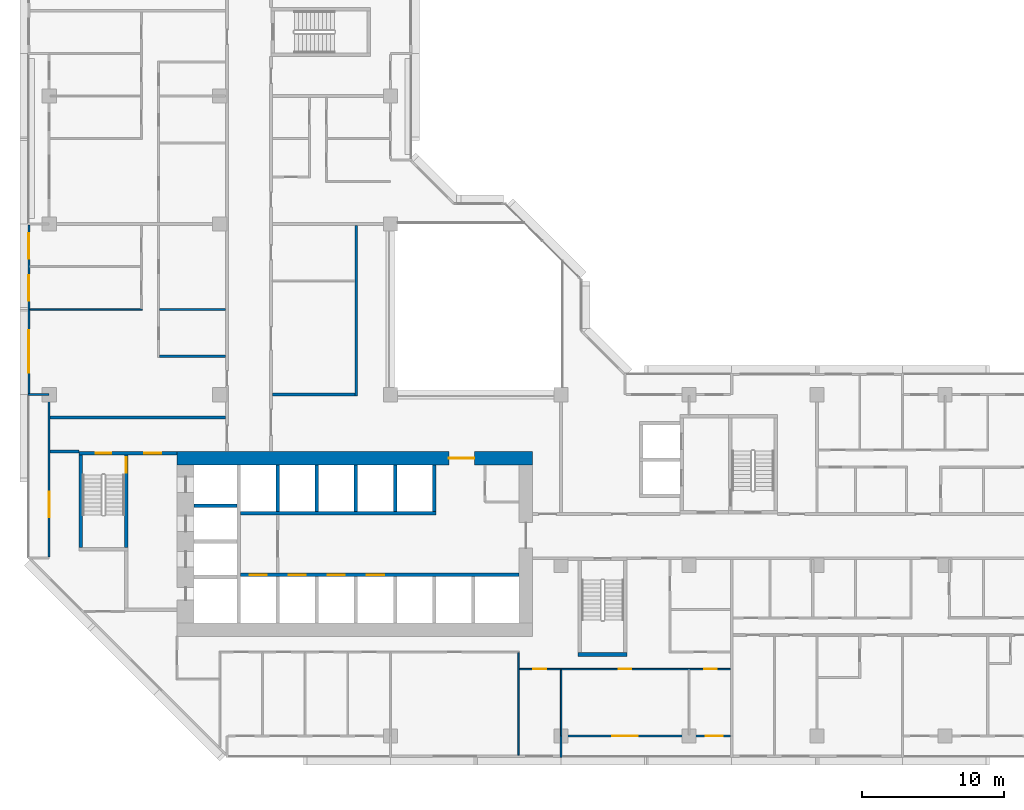
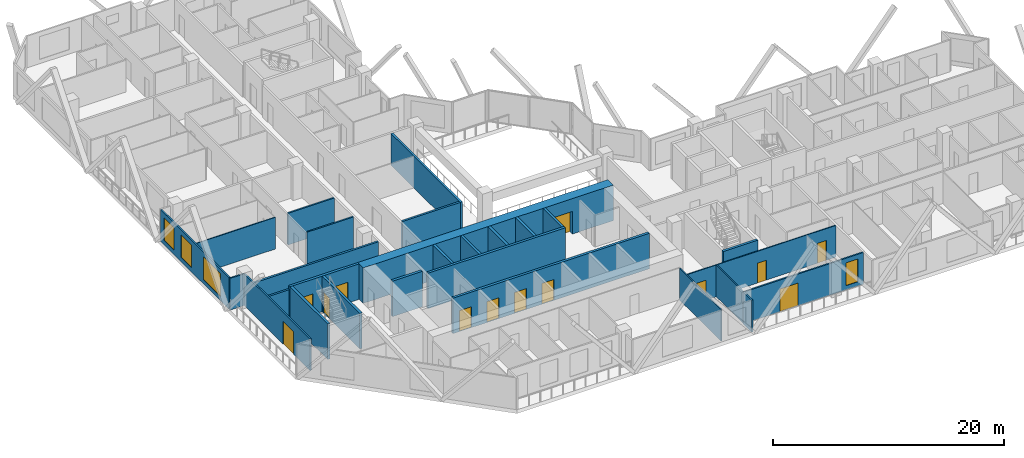
# One storey, part 5 of 15: 28 walls, 13 doors, 4 windows, 17 openings.
"""IFC4 building model written with IfcOpenShell, lengths in metres."""

from ifc_helpers import new_model, si_unit, direction, frame, frame_2d, origin, place, context, subcontext, project, spatial, rectangle, extrude, material, layer, layer_set, type_object, element, fill, save


model = new_model("IFC4")

# Units and contexts
model_context = context("Model", 3, precision=1e-05, world=origin(), true_north=direction((0.0, 1.0)))
body_context = subcontext(model_context, "Body", "Model", "MODEL_VIEW")
ifc_project = project(units=[si_unit("LENGTHUNIT", "METRE"), si_unit("AREAUNIT", "SQUARE_METRE"), si_unit("VOLUMEUNIT", "CUBIC_METRE"), si_unit("PLANEANGLEUNIT", "RADIAN"), si_unit("MASSUNIT", "GRAM", prefix="KILO")], contexts=[model_context])

# Site, building, storey
site_placement = place(None, origin())
site = spatial("IfcSite", under=ifc_project, at=site_placement, CompositionType="ELEMENT")
building_placement = place(site_placement, origin())
building = spatial("IfcBuilding", under=site, at=building_placement, Name="Chenar Terraces", CompositionType="ELEMENT")
storey_placement = place(building_placement, frame((0.0, 0.0, 114.39990234375)))
storey = spatial("IfcBuildingStorey", under=building, at=storey_placement, Name="L26", CompositionType="ELEMENT", Elevation=114.39990234375)

# Wall, openings, doors
ifc_material_1 = material(Name="Concrete C70/85", Category="concrete")
ifc_layer_1 = layer(ifc_material_1, 0.25)
ifc_layer_set_1 = layer_set([ifc_layer_1], Name="Concrete C70/85")
wall_type_1 = type_object("IfcWallType", Name="Core wall 250 Concrete C70/85", PredefinedType="SHEAR", material=ifc_layer_set_1)
wall_1_placement = place(storey_placement, frame((13.449951171875, 11.324951171875, 0.0), z_axis=(0.0, 0.0, 1.0), x_axis=(1.0, 0.0, 0.0)))
wall_1 = element("IfcWall", 1, at=wall_1_placement, inside=storey, type_object=wall_type_1, Name="Core wall SF L26", PredefinedType="SHEAR", context=body_context, shape_type="SweptSolid", body=[
    extrude(rectangle(XDim=19.60009765625, YDim=0.25, at=frame_2d((9.800048828125, 0.0))), origin(), (0.0, 0.0, 1.0), 3.75),
])
opening_1_placement = place(wall_1_placement, frame((0.64990234375, 0.0, 0.0)))
opening_1 = element("IfcOpeningElement", 2, at=opening_1_placement, cuts=wall_1, Name="Opening DL26-LD1", PredefinedType="OPENING", context=body_context, shape_type="SweptSolid", body=[
    extrude(rectangle(XDim=1.199951171875, YDim=2.199951171875, at=frame_2d((0.60009765625, 1.10009765625))), frame((0.0, 0.135009765625, 0.0), z_axis=(0.0, -1.0, 0.0), x_axis=(1.0, 0.0, 0.0)), (0.0, 0.0, 1.0), 0.27001953125),
])
opening_2_placement = place(wall_1_placement, frame((3.39990234375, 0.0, 0.0)))
opening_2 = element("IfcOpeningElement", 3, at=opening_2_placement, cuts=wall_1, Name="Opening DL26-LD2", PredefinedType="OPENING", context=body_context, shape_type="SweptSolid", body=[
    extrude(rectangle(XDim=1.199951171875, YDim=2.199951171875, at=frame_2d((0.60009765625, 1.10009765625))), frame((0.0, 0.135009765625, 0.0), z_axis=(0.0, -1.0, 0.0), x_axis=(1.0, 0.0, 0.0)), (0.0, 0.0, 1.0), 0.27001953125),
])
opening_3_placement = place(wall_1_placement, frame((6.14990234375, 0.0, 0.0)))
opening_3 = element("IfcOpeningElement", 4, at=opening_3_placement, cuts=wall_1, Name="Opening DL26-LD3", PredefinedType="OPENING", context=body_context, shape_type="SweptSolid", body=[
    extrude(rectangle(XDim=1.199951171875, YDim=2.199951171875, at=frame_2d((0.60009765625, 1.10009765625))), frame((0.0, 0.135009765625, 0.0), z_axis=(0.0, -1.0, 0.0), x_axis=(1.0, 0.0, 0.0)), (0.0, 0.0, 1.0), 0.27001953125),
])
opening_4_placement = place(wall_1_placement, frame((8.89990234375, 0.0, 0.0)))
opening_4 = element("IfcOpeningElement", 5, at=opening_4_placement, cuts=wall_1, Name="Opening DL26-LD4", PredefinedType="OPENING", context=body_context, shape_type="SweptSolid", body=[
    extrude(rectangle(XDim=1.199951171875, YDim=2.199951171875, at=frame_2d((0.60009765625, 1.10009765625))), frame((0.0, 0.135009765625, 0.0), z_axis=(0.0, -1.0, 0.0), x_axis=(1.0, 0.0, 0.0)), (0.0, 0.0, 1.0), 0.27001953125),
])
ifc_material_2 = material(Name="Stainless steel", Category="steel")
door_type_1 = type_object("IfcDoorType", Name="Lift landing door 1200 x 2200 sliding", OperationType="DOUBLE_DOOR_SLIDING", PredefinedType="DOOR", material=ifc_material_2)
door_1_placement = place(opening_1_placement, origin())
door_1 = element("IfcDoor", 6, at=door_1_placement, inside=storey, type_object=door_type_1, Name="Landing door L1", OperationType="DOUBLE_DOOR_SLIDING", OverallHeight=2.199951171875, OverallWidth=1.199951171875, PredefinedType="DOOR", context=body_context, shape_type="SweptSolid", body=[
    extrude(rectangle(XDim=1.199951171875, YDim=2.199951171875, at=frame_2d((0.60009765625, 1.10009765625))), frame((0.0, 0.02490234375, 0.0), z_axis=(0.0, -1.0, 0.0), x_axis=(1.0, 0.0, 0.0)), (0.0, 0.0, 1.0), 0.050048828125),
])
fill(opening_1, door_1)
door_2_placement = place(opening_2_placement, origin())
door_2 = element("IfcDoor", 7, at=door_2_placement, inside=storey, type_object=door_type_1, Name="Landing door L2", OperationType="DOUBLE_DOOR_SLIDING", OverallHeight=2.199951171875, OverallWidth=1.199951171875, PredefinedType="DOOR", context=body_context, shape_type="SweptSolid", body=[
    extrude(rectangle(XDim=1.199951171875, YDim=2.199951171875, at=frame_2d((0.60009765625, 1.10009765625))), frame((0.0, 0.02490234375, 0.0), z_axis=(0.0, -1.0, 0.0), x_axis=(1.0, 0.0, 0.0)), (0.0, 0.0, 1.0), 0.050048828125),
])
fill(opening_2, door_2)
door_3_placement = place(opening_3_placement, origin())
door_3 = element("IfcDoor", 8, at=door_3_placement, inside=storey, type_object=door_type_1, Name="Landing door L3", OperationType="DOUBLE_DOOR_SLIDING", OverallHeight=2.199951171875, OverallWidth=1.199951171875, PredefinedType="DOOR", context=body_context, shape_type="SweptSolid", body=[
    extrude(rectangle(XDim=1.199951171875, YDim=2.199951171875, at=frame_2d((0.60009765625, 1.10009765625))), frame((0.0, 0.02490234375, 0.0), z_axis=(0.0, -1.0, 0.0), x_axis=(1.0, 0.0, 0.0)), (0.0, 0.0, 1.0), 0.050048828125),
])
fill(opening_3, door_3)
door_4_placement = place(opening_4_placement, origin())
door_4 = element("IfcDoor", 9, at=door_4_placement, inside=storey, type_object=door_type_1, Name="Landing door L4", OperationType="DOUBLE_DOOR_SLIDING", OverallHeight=2.199951171875, OverallWidth=1.199951171875, PredefinedType="DOOR", context=body_context, shape_type="SweptSolid", body=[
    extrude(rectangle(XDim=1.199951171875, YDim=2.199951171875, at=frame_2d((0.60009765625, 1.10009765625))), frame((0.0, 0.02490234375, 0.0), z_axis=(0.0, -1.0, 0.0), x_axis=(1.0, 0.0, 0.0)), (0.0, 0.0, 1.0), 0.050048828125),
])
fill(opening_4, door_4)

# Walls
wall_2_placement = place(storey_placement, frame((13.449951171875, 15.675048828125, 0.0), z_axis=(0.0, 0.0, 1.0), x_axis=(1.0, 0.0, 0.0)))
element("IfcWall", 10, at=wall_2_placement, inside=storey, type_object=wall_type_1, Name="Core wall NF L26", PredefinedType="SHEAR", context=body_context, shape_type="SweptSolid", body=[
    extrude(rectangle(XDim=13.75, YDim=0.25, at=frame_2d((6.875, 0.0))), origin(), (0.0, 0.0, 1.0), 3.75),
])
wall_3_placement = place(storey_placement, frame((10.199951171875, 16.175048828125, 0.0), z_axis=(0.0, 0.0, 1.0), x_axis=(1.0, 0.0, 0.0)))
element("IfcWall", 11, at=wall_3_placement, inside=storey, type_object=wall_type_1, Name="Core wall HW2 L26", PredefinedType="SHEAR", context=body_context, shape_type="SweptSolid", body=[
    extrude(rectangle(XDim=3.0, YDim=0.25, at=frame_2d((1.5, 0.0))), origin(), (0.0, 0.0, 1.0), 3.75),
])
for number, where, z_axis, x_axis, name in (
    (12, (16.074951171875, 15.800048828125, 0.0), (0.0, 0.0, 1.0), (0.0, 1.0, 0.0), "Core wall NS0 L26"),
    (13, (18.824951171875, 15.800048828125, 0.0), (0.0, 0.0, 1.0), (0.0, 1.0, 0.0), "Core wall NS1 L26"),
    (14, (21.574951171875, 15.800048828125, 0.0), (0.0, 0.0, 1.0), (0.0, 1.0, 0.0), "Core wall NS2 L26"),
    (15, (24.324951171875, 15.800048828125, 0.0), (0.0, 0.0, 1.0), (0.0, 1.0, 0.0), "Core wall NS3 L26"),
    (16, (27.074951171875, 15.800048828125, 0.0), (0.0, 0.0, 1.0), (0.0, 1.0, 0.0), "Core wall NE L26"),
):
    element("IfcWall", number, at=place(storey_placement, frame(where, z_axis=z_axis, x_axis=x_axis)), inside=storey, type_object=wall_type_1, Name=name, PredefinedType="SHEAR", context=body_context, shape_type="SweptSolid", body=[
        extrude(rectangle(XDim=3.25, YDim=0.25, at=frame_2d((1.625, 0.0))), origin(), (0.0, 0.0, 1.0), 3.75),
    ])

# Wall, openings, doors
wall_4_placement = place(storey_placement, frame((2.10009765625, 19.875, 0.0), z_axis=(0.0, 0.0, 1.0), x_axis=(1.0, 0.0, 0.0)))
wall_4 = element("IfcWall", 17, at=wall_4_placement, inside=storey, type_object=wall_type_1, Name="Core wall A_N L26", PredefinedType="SHEAR", context=body_context, shape_type="SweptSolid", body=[
    extrude(rectangle(XDim=6.89990234375, YDim=0.25, at=frame_2d((3.449951171875, 0.0))), origin(), (0.0, 0.0, 1.0), 3.75),
])
opening_5_placement = place(wall_4_placement, frame((1.175048828125, 0.0, 0.0)))
opening_5 = element("IfcOpeningElement", 18, at=opening_5_placement, cuts=wall_4, Name="Opening DL26-C5", PredefinedType="OPENING", context=body_context, shape_type="SweptSolid", body=[
    extrude(rectangle(XDim=1.10009765625, YDim=2.199951171875, at=frame_2d((0.550048828125, 1.10009765625))), frame((0.0, 0.135009765625, 0.0), z_axis=(0.0, -1.0, 0.0), x_axis=(1.0, 0.0, 0.0)), (0.0, 0.0, 1.0), 0.27001953125),
])
opening_6_placement = place(wall_4_placement, frame((4.60009765625, 0.0, 0.0)))
opening_6 = element("IfcOpeningElement", 19, at=opening_6_placement, cuts=wall_4, Name="Opening DL26-C6", PredefinedType="OPENING", context=body_context, shape_type="SweptSolid", body=[
    extrude(rectangle(XDim=1.199951171875, YDim=2.199951171875, at=frame_2d((0.60009765625, 1.10009765625))), frame((0.0, 0.135009765625, 0.0), z_axis=(0.0, -1.0, 0.0), x_axis=(1.0, 0.0, 0.0)), (0.0, 0.0, 1.0), 0.27001953125),
])
ifc_material_3 = material(Name="Steel-framed fire-resisting door leaf", Category="steel")
door_type_2 = type_object("IfcDoorType", Name="Lobby fire door FD60 1200 x 2200", OperationType="SINGLE_SWING_LEFT", PredefinedType="DOOR", material=ifc_material_3)
door_5_placement = place(opening_6_placement, frame((1.199951171875, 0.0, 0.0), z_axis=(0.0, 0.0, 1.0), x_axis=(-1.0, 0.0, 0.0)))
door_5 = element("IfcDoor", 20, at=door_5_placement, inside=storey, type_object=door_type_2, Name="Core door DL26-C6", OperationType="SINGLE_SWING_LEFT", OverallHeight=2.199951171875, OverallWidth=1.199951171875, PredefinedType="DOOR", context=body_context, shape_type="SweptSolid", body=[
    extrude(rectangle(XDim=1.199951171875, YDim=2.199951171875, at=frame_2d((0.60009765625, 1.10009765625))), frame((0.0, 0.02490234375, 0.0), z_axis=(0.0, -1.0, 0.0), x_axis=(1.0, 0.0, 0.0)), (0.0, 0.0, 1.0), 0.050048828125),
])
fill(opening_6, door_5)
ifc_material_4 = material(Name="Steel-framed fire-resisting door leaf", Category="steel")
door_type_3 = type_object("IfcDoorType", Name="Stair fire door FD60 1100 x 2200", OperationType="SINGLE_SWING_LEFT", PredefinedType="DOOR", material=ifc_material_4)
door_6_placement = place(opening_5_placement, origin())
door_6 = element("IfcDoor", 21, at=door_6_placement, inside=storey, type_object=door_type_3, Name="Stair door DL26-C5", OperationType="SINGLE_SWING_LEFT", OverallHeight=2.199951171875, OverallWidth=1.10009765625, PredefinedType="DOOR", context=body_context, shape_type="SweptSolid", body=[
    extrude(rectangle(XDim=1.10009765625, YDim=2.199951171875, at=frame_2d((0.550048828125, 1.10009765625))), frame((0.0, 0.02490234375, 0.0), z_axis=(0.0, -1.0, 0.0), x_axis=(1.0, 0.0, 0.0)), (0.0, 0.0, 1.0), 0.050048828125),
])
fill(opening_5, door_6)

# Wall
wall_5_placement = place(storey_placement, frame((2.22509765625, 13.25, 0.0), z_axis=(0.0, 0.0, 1.0), x_axis=(0.0, 1.0, 0.0)))
element("IfcWall", 22, at=wall_5_placement, inside=storey, type_object=wall_type_1, Name="Core wall ST1_W L26", PredefinedType="SHEAR", context=body_context, shape_type="SweptSolid", body=[
    extrude(rectangle(XDim=6.5, YDim=0.25, at=frame_2d((3.25, 0.0))), origin(), (0.0, 0.0, 1.0), 3.75),
])

# Wall, opening, door
wall_6_placement = place(storey_placement, frame((5.425048828125, 13.25, 0.0), z_axis=(0.0, 0.0, 1.0), x_axis=(0.0, 1.0, 0.0)))
wall_6 = element("IfcWall", 23, at=wall_6_placement, inside=storey, type_object=wall_type_1, Name="Core wall ST1_E L26", PredefinedType="SHEAR", context=body_context, shape_type="SweptSolid", body=[
    extrude(rectangle(XDim=6.5, YDim=0.25, at=frame_2d((3.25, 0.0))), origin(), (0.0, 0.0, 1.0), 3.75),
])
opening_7_placement = place(wall_6_placement, frame((5.25, 0.0, 0.0)))
opening_7 = element("IfcOpeningElement", 24, at=opening_7_placement, cuts=wall_6, Name="Opening DL26-C3", PredefinedType="OPENING", context=body_context, shape_type="SweptSolid", body=[
    extrude(rectangle(XDim=1.10009765625, YDim=2.199951171875, at=frame_2d((0.550048828125, 1.10009765625))), frame((0.0, 0.135009765625, 0.0), z_axis=(0.0, -1.0, 0.0), x_axis=(1.0, 0.0, 0.0)), (0.0, 0.0, 1.0), 0.27001953125),
])
door_7_placement = place(opening_7_placement, origin())
door_7 = element("IfcDoor", 25, at=door_7_placement, inside=storey, type_object=door_type_3, Name="Stair door DL26-C3", OperationType="SINGLE_SWING_RIGHT", OverallHeight=2.199951171875, OverallWidth=1.10009765625, PredefinedType="DOOR", context=body_context, shape_type="SweptSolid", body=[
    extrude(rectangle(XDim=1.10009765625, YDim=2.199951171875, at=frame_2d((0.550048828125, 1.10009765625))), frame((0.0, 0.02490234375, 0.0), z_axis=(0.0, -1.0, 0.0), x_axis=(1.0, 0.0, 0.0)), (0.0, 0.0, 1.0), 0.050048828125),
])
fill(opening_7, door_7)

# Wall
wall_7_placement = place(storey_placement, frame((37.199951171875, 5.72509765625, 0.0), z_axis=(0.0, 0.0, 1.0), x_axis=(1.0, 0.0, 0.0)))
element("IfcWall", 26, at=wall_7_placement, inside=storey, type_object=wall_type_1, Name="Core wall ST2_S L26", PredefinedType="SHEAR", context=body_context, shape_type="SweptSolid", body=[
    extrude(rectangle(XDim=3.449951171875, YDim=0.25, at=frame_2d((1.72509765625, 0.0))), origin(), (0.0, 0.0, 1.0), 3.75),
])

# Wall, opening, door
ifc_material_5 = material(Name="Concrete C70/85", Category="concrete")
ifc_layer_2 = layer(ifc_material_5, 0.949951171875)
ifc_layer_set_2 = layer_set([ifc_layer_2], Name="Concrete C70/85")
wall_type_2 = type_object("IfcWallType", Name="Core wall 950 Concrete C70/85", PredefinedType="SHEAR", material=ifc_layer_set_2)
wall_8_placement = place(storey_placement, frame((9.0, 19.52490234375, 0.0), z_axis=(0.0, 0.0, 1.0), x_axis=(1.0, 0.0, 0.0)))
wall_8 = element("IfcWall", 27, at=wall_8_placement, inside=storey, type_object=wall_type_2, Name="Core wall N L26", PredefinedType="SHEAR", context=body_context, shape_type="SweptSolid", body=[
    extrude(rectangle(XDim=25.0, YDim=0.949951171875, at=frame_2d((12.5, 0.0))), origin(), (0.0, 0.0, 1.0), 3.75),
])
opening_8_placement = place(wall_8_placement, frame((19.10009765625, 0.0, 0.0)))
opening_8 = element("IfcOpeningElement", 28, at=opening_8_placement, cuts=wall_8, Name="Opening DL26-C2", PredefinedType="OPENING", context=body_context, shape_type="SweptSolid", body=[
    extrude(rectangle(XDim=1.800048828125, YDim=2.39990234375, at=frame_2d((0.89990234375, 1.199951171875))), frame((0.0, 0.48486328125, 0.0), z_axis=(0.0, -1.0, 0.0), x_axis=(1.0, 0.0, 0.0)), (0.0, 0.0, 1.0), 0.969970703125),
])
ifc_material_6 = material(Name="Steel-framed fire-resisting door leaf", Category="steel")
door_type_4 = type_object("IfcDoorType", Name="Core entrance double fire door FD60 1800 x 2400", OperationType="DOUBLE_DOOR_SINGLE_SWING", PredefinedType="DOOR", material=ifc_material_6)
door_8_placement = place(opening_8_placement, frame((1.800048828125, 0.0, 0.0), z_axis=(0.0, 0.0, 1.0), x_axis=(-1.0, 0.0, 0.0)))
door_8 = element("IfcDoor", 29, at=door_8_placement, inside=storey, type_object=door_type_4, Name="Core door DL26-C2", OperationType="DOUBLE_DOOR_SINGLE_SWING", OverallHeight=2.39990234375, OverallWidth=1.800048828125, PredefinedType="DOOR", context=body_context, shape_type="SweptSolid", body=[
    extrude(rectangle(XDim=1.800048828125, YDim=2.39990234375, at=frame_2d((0.89990234375, 1.199951171875))), frame((0.0, 0.02490234375, 0.0), z_axis=(0.0, -1.0, 0.0), x_axis=(1.0, 0.0, 0.0)), (0.0, 0.0, 1.0), 0.050048828125),
])
fill(opening_8, door_8)

# Walls
ifc_material_7 = material(Name="Gypsum board on steel studs with fire boards", Category="steel")
ifc_layer_3 = layer(ifc_material_7, 0.199951171875)
ifc_layer_set_3 = layer_set([ifc_layer_3], Name="Gypsum board on steel studs with fire boards")
wall_type_3 = type_object("IfcWallType", Name="Corridor wall 200", PredefinedType="PARTITIONING", material=ifc_layer_set_3)
wall_9_placement = place(storey_placement, frame((0.073974609375, 20.0, 0.0), z_axis=(0.0, 0.0, 1.0), x_axis=(1.0, 0.0, 0.0)))
element("IfcWall", 30, at=wall_9_placement, inside=storey, type_object=wall_type_3, Name="Partition L26-007", PredefinedType="PARTITIONING", context=body_context, shape_type="SweptSolid", body=[
    extrude(rectangle(XDim=2.026123046875, YDim=0.199951171875, at=frame_2d((1.01318359375, 0.0))), origin(), (0.0, 0.0, 1.0), 3.35009765625),
])
wall_10_placement = place(storey_placement, frame((0.073974609375, 22.39990234375, 0.0), z_axis=(0.0, 0.0, 1.0), x_axis=(1.0, 0.0, 0.0)))
element("IfcWall", 31, at=wall_10_placement, inside=storey, type_object=wall_type_3, Name="Partition L26-008", PredefinedType="PARTITIONING", context=body_context, shape_type="SweptSolid", body=[
    extrude(rectangle(XDim=12.325927734375, YDim=0.199951171875, at=frame_2d((6.1630859375, 0.0))), origin(), (0.0, 0.0, 1.0), 3.35009765625),
])
wall_11_placement = place(storey_placement, frame((15.699951171875, 24.0, 0.0), z_axis=(0.0, 0.0, 1.0), x_axis=(1.0, 0.0, 0.0)))
element("IfcWall", 32, at=wall_11_placement, inside=storey, type_object=wall_type_3, Name="Partition L26-036", PredefinedType="PARTITIONING", context=body_context, shape_type="SweptSolid", body=[
    extrude(rectangle(XDim=5.800048828125, YDim=0.199951171875, at=frame_2d((2.89990234375, 0.0))), origin(), (0.0, 0.0, 1.0), 3.35009765625),
])
wall_12_placement = place(storey_placement, frame((21.60009765625, 23.89990234375, 0.0), z_axis=(0.0, 0.0, 1.0), x_axis=(0.0, 1.0, 0.0)))
element("IfcWall", 33, at=wall_12_placement, inside=storey, type_object=wall_type_3, Name="Partition L26-056", PredefinedType="PARTITIONING", context=body_context, shape_type="SweptSolid", body=[
    extrude(rectangle(XDim=12.0, YDim=0.199951171875, at=frame_2d((6.0, 0.0))), origin(), (0.0, 0.0, 1.0), 3.35009765625),
])

# Wall, openings, windows
ifc_material_8 = material(Name="Aluminium framed glazing", Category="aluminium")
ifc_layer_4 = layer(ifc_material_8, 0.14990234375)
ifc_layer_set_4 = layer_set([ifc_layer_4], Name="Aluminium framed glazing")
wall_type_4 = type_object("IfcWallType", Name="Glazed flush facade wall 150", PredefinedType="SOLIDWALL", material=ifc_layer_set_4)
wall_13_placement = place(storey_placement, frame((-1.425048828125, 35.925048828125, 0.0), z_axis=(0.0, 0.0, 1.0), x_axis=(0.0, -1.0, 0.0)))
wall_13 = element("IfcWall", 34, at=wall_13_placement, inside=storey, type_object=wall_type_4, Name="Glazed flush facade wall", PredefinedType="SOLIDWALL", context=body_context, shape_type="SweptSolid", body=[
    extrude(rectangle(XDim=11.85009765625, YDim=0.14990234375, at=frame_2d((5.925048828125, 0.0))), origin(), (0.0, 0.0, 1.0), 3.35009765625),
])
opening_9_placement = place(wall_13_placement, frame((0.5625, 0.0, 0.449951171875)))
opening_9 = element("IfcOpeningElement", 35, at=opening_9_placement, cuts=wall_13, Name="Opening W180x240", PredefinedType="OPENING", context=body_context, shape_type="SweptSolid", body=[
    extrude(rectangle(XDim=1.800048828125, YDim=2.39990234375, at=frame_2d((0.89990234375, 1.199951171875))), frame((0.0, 0.0849609375, 0.0), z_axis=(0.0, -1.0, 0.0), x_axis=(1.0, 0.0, 0.0)), (0.0, 0.0, 1.0), 0.169921875),
])
opening_10_placement = place(wall_13_placement, frame((3.52490234375, 0.0, 0.449951171875)))
opening_10 = element("IfcOpeningElement", 36, at=opening_10_placement, cuts=wall_13, Name="Opening W180x240", PredefinedType="OPENING", context=body_context, shape_type="SweptSolid", body=[
    extrude(rectangle(XDim=1.800048828125, YDim=2.39990234375, at=frame_2d((0.89990234375, 1.199951171875))), frame((0.0, 0.0849609375, 0.0), z_axis=(0.0, -1.0, 0.0), x_axis=(1.0, 0.0, 0.0)), (0.0, 0.0, 1.0), 0.169921875),
])
opening_11_placement = place(wall_13_placement, frame((7.387451171875, 0.0, 0.449951171875)))
opening_11 = element("IfcOpeningElement", 37, at=opening_11_placement, cuts=wall_13, Name="Opening W300x240", PredefinedType="OPENING", context=body_context, shape_type="SweptSolid", body=[
    extrude(rectangle(XDim=3.0, YDim=2.39990234375, at=frame_2d((1.5, 1.199951171875))), frame((0.0, 0.0849609375, 0.0), z_axis=(0.0, -1.0, 0.0), x_axis=(1.0, 0.0, 0.0)), (0.0, 0.0, 1.0), 0.169921875),
])
ifc_material_9 = material(Name="Low emissivity double glazing, aluminium frame", Category="aluminium")
window_type_1 = type_object("IfcWindowType", Name="Fixed light 1800 x 2400", PartitioningType="SINGLE_PANEL", PredefinedType="WINDOW", material=ifc_material_9)
window_1_placement = place(opening_9_placement, origin())
window_1 = element("IfcWindow", 38, at=window_1_placement, inside=storey, type_object=window_type_1, Name="Window", OverallHeight=2.39990234375, OverallWidth=1.800048828125, PartitioningType="SINGLE_PANEL", PredefinedType="WINDOW", context=body_context, shape_type="SweptSolid", body=[
    extrude(rectangle(XDim=1.800048828125, YDim=2.39990234375, at=frame_2d((0.89990234375, 1.199951171875))), frame((0.0, 0.030029296875, 0.0), z_axis=(0.0, -1.0, 0.0), x_axis=(1.0, 0.0, 0.0)), (0.0, 0.0, 1.0), 0.06005859375),
])
fill(opening_9, window_1)
window_2_placement = place(opening_10_placement, origin())
window_2 = element("IfcWindow", 39, at=window_2_placement, inside=storey, type_object=window_type_1, Name="Window", OverallHeight=2.39990234375, OverallWidth=1.800048828125, PartitioningType="SINGLE_PANEL", PredefinedType="WINDOW", context=body_context, shape_type="SweptSolid", body=[
    extrude(rectangle(XDim=1.800048828125, YDim=2.39990234375, at=frame_2d((0.89990234375, 1.199951171875))), frame((0.0, 0.030029296875, 0.0), z_axis=(0.0, -1.0, 0.0), x_axis=(1.0, 0.0, 0.0)), (0.0, 0.0, 1.0), 0.06005859375),
])
fill(opening_10, window_2)
ifc_material_10 = material(Name="Low emissivity double glazing, aluminium frame", Category="aluminium")
window_type_2 = type_object("IfcWindowType", Name="Fixed light 3000 x 2400", PartitioningType="SINGLE_PANEL", PredefinedType="WINDOW", material=ifc_material_10)
window_3_placement = place(opening_11_placement, origin())
window_3 = element("IfcWindow", 40, at=window_3_placement, inside=storey, type_object=window_type_2, Name="Window", OverallHeight=2.39990234375, OverallWidth=3.0, PartitioningType="SINGLE_PANEL", PredefinedType="WINDOW", context=body_context, shape_type="SweptSolid", body=[
    extrude(rectangle(XDim=3.0, YDim=2.39990234375, at=frame_2d((1.5, 1.199951171875))), frame((0.0, 0.030029296875, 0.0), z_axis=(0.0, -1.0, 0.0), x_axis=(1.0, 0.0, 0.0)), (0.0, 0.0, 1.0), 0.06005859375),
])
fill(opening_11, window_3)

# Wall, opening, door
ifc_material_11 = material(Name="Aluminium framed glazing", Category="aluminium")
ifc_layer_5 = layer(ifc_material_11, 0.14990234375)
ifc_layer_set_5 = layer_set([ifc_layer_5], Name="Aluminium framed glazing")
wall_type_5 = type_object("IfcWallType", Name="Glazed loggia back wall 150", PredefinedType="SOLIDWALL", material=ifc_layer_set_5)
wall_14_placement = place(storey_placement, frame((0.0, 23.925048828125, 0.0), z_axis=(0.0, 0.0, 1.0), x_axis=(0.0, -1.0, 0.0)))
wall_14 = element("IfcWall", 41, at=wall_14_placement, inside=storey, type_object=wall_type_5, Name="Glazed loggia back wall", PredefinedType="SOLIDWALL", context=body_context, shape_type="SweptSolid", body=[
    extrude(rectangle(XDim=11.35009765625, YDim=0.14990234375, at=frame_2d((5.675048828125, 0.0))), origin(), (0.0, 0.0, 1.0), 3.35009765625),
])
opening_12_placement = place(wall_14_placement, frame((6.737548828125, 0.0, 0.0)))
opening_12 = element("IfcOpeningElement", 42, at=opening_12_placement, cuts=wall_14, Name="Opening DL26-G5", PredefinedType="OPENING", context=body_context, shape_type="SweptSolid", body=[
    extrude(rectangle(XDim=1.800048828125, YDim=2.39990234375, at=frame_2d((0.89990234375, 1.199951171875))), frame((0.0, 0.0849609375, 0.0), z_axis=(0.0, -1.0, 0.0), x_axis=(1.0, 0.0, 0.0)), (0.0, 0.0, 1.0), 0.169921875),
])
ifc_material_12 = material(Name="Low emissivity double glazing, aluminium frame", Category="aluminium")
door_type_5 = type_object("IfcDoorType", Name="Loggia glazed double door 1800 x 2400", OperationType="DOUBLE_DOOR_SINGLE_SWING", PredefinedType="DOOR", material=ifc_material_12)
door_9_placement = place(opening_12_placement, frame((1.800048828125, 0.0, 0.0), z_axis=(0.0, 0.0, 1.0), x_axis=(-1.0, 0.0, 0.0)))
door_9 = element("IfcDoor", 43, at=door_9_placement, inside=storey, type_object=door_type_5, Name="Loggia glazed door", OperationType="DOUBLE_DOOR_SINGLE_SWING", OverallHeight=2.39990234375, OverallWidth=1.800048828125, PredefinedType="DOOR", context=body_context, shape_type="SweptSolid", body=[
    extrude(rectangle(XDim=1.800048828125, YDim=2.39990234375, at=frame_2d((0.89990234375, 1.199951171875))), frame((0.0, 0.02490234375, 0.0), z_axis=(0.0, -1.0, 0.0), x_axis=(1.0, 0.0, 0.0)), (0.0, 0.0, 1.0), 0.050048828125),
])
fill(opening_12, door_9)

# Wall, openings, window, door
wall_15_placement = place(storey_placement, frame((36.074951171875, 0.0, 0.0), z_axis=(0.0, 0.0, 1.0), x_axis=(1.0, 0.0, 0.0)))
wall_15 = element("IfcWall", 44, at=wall_15_placement, inside=storey, type_object=wall_type_5, Name="Glazed loggia back wall", PredefinedType="SOLIDWALL", context=body_context, shape_type="SweptSolid", body=[
    extrude(rectangle(XDim=11.85009765625, YDim=0.14990234375, at=frame_2d((5.925048828125, 0.0))), origin(), (0.0, 0.0, 1.0), 3.35009765625),
])
opening_13_placement = place(wall_15_placement, frame((3.52490234375, 0.0, 0.0)))
opening_13 = element("IfcOpeningElement", 45, at=opening_13_placement, cuts=wall_15, Name="Opening DL26-G7", PredefinedType="OPENING", context=body_context, shape_type="SweptSolid", body=[
    extrude(rectangle(XDim=1.800048828125, YDim=2.39990234375, at=frame_2d((0.89990234375, 1.199951171875))), frame((0.0, 0.0849609375, 0.0), z_axis=(0.0, -1.0, 0.0), x_axis=(1.0, 0.0, 0.0)), (0.0, 0.0, 1.0), 0.169921875),
])
opening_14_placement = place(wall_15_placement, frame((10.08740234375, 0.0, 0.449951171875)))
opening_14 = element("IfcOpeningElement", 46, at=opening_14_placement, cuts=wall_15, Name="Opening W120x240", PredefinedType="OPENING", context=body_context, shape_type="SweptSolid", body=[
    extrude(rectangle(XDim=1.199951171875, YDim=2.39990234375, at=frame_2d((0.60009765625, 1.199951171875))), frame((0.0, 0.0849609375, 0.0), z_axis=(0.0, -1.0, 0.0), x_axis=(1.0, 0.0, 0.0)), (0.0, 0.0, 1.0), 0.169921875),
])
ifc_material_13 = material(Name="Low emissivity double glazing, aluminium frame", Category="aluminium")
window_type_3 = type_object("IfcWindowType", Name="Fixed light 1200 x 2400", PartitioningType="SINGLE_PANEL", PredefinedType="WINDOW", material=ifc_material_13)
window_4_placement = place(opening_14_placement, origin())
window_4 = element("IfcWindow", 47, at=window_4_placement, inside=storey, type_object=window_type_3, Name="Window", OverallHeight=2.39990234375, OverallWidth=1.199951171875, PartitioningType="SINGLE_PANEL", PredefinedType="WINDOW", context=body_context, shape_type="SweptSolid", body=[
    extrude(rectangle(XDim=1.199951171875, YDim=2.39990234375, at=frame_2d((0.60009765625, 1.199951171875))), frame((0.0, 0.030029296875, 0.0), z_axis=(0.0, -1.0, 0.0), x_axis=(1.0, 0.0, 0.0)), (0.0, 0.0, 1.0), 0.06005859375),
])
fill(opening_14, window_4)
door_10_placement = place(opening_13_placement, frame((1.800048828125, 0.0, 0.0), z_axis=(0.0, 0.0, 1.0), x_axis=(-1.0, 0.0, 0.0)))
door_10 = element("IfcDoor", 48, at=door_10_placement, inside=storey, type_object=door_type_5, Name="Loggia glazed door", OperationType="DOUBLE_DOOR_SINGLE_SWING", OverallHeight=2.39990234375, OverallWidth=1.800048828125, PredefinedType="DOOR", context=body_context, shape_type="SweptSolid", body=[
    extrude(rectangle(XDim=1.800048828125, YDim=2.39990234375, at=frame_2d((0.89990234375, 1.199951171875))), frame((0.0, 0.02490234375, 0.0), z_axis=(0.0, -1.0, 0.0), x_axis=(1.0, 0.0, 0.0)), (0.0, 0.0, 1.0), 0.050048828125),
])
fill(opening_13, door_10)

# Walls
ifc_material_14 = material(Name="Gypsum board on steel studs", Category="steel")
ifc_layer_6 = layer(ifc_material_14, 0.10009765625)
ifc_layer_set_6 = layer_set([ifc_layer_6], Name="Gypsum board on steel studs")
wall_type_6 = type_object("IfcWallType", Name="Gypsum partition 100", PredefinedType="PARTITIONING", material=ifc_layer_set_6)
wall_16_placement = place(storey_placement, frame((-1.35009765625, 30.0, 0.0), z_axis=(0.0, 0.0, 1.0), x_axis=(1.0, 0.0, 0.0)))
element("IfcWall", 49, at=wall_16_placement, inside=storey, type_object=wall_type_6, Name="Partition L26-002", PredefinedType="PARTITIONING", context=body_context, shape_type="SweptSolid", body=[
    extrude(rectangle(XDim=7.900146484375, YDim=0.10009765625, at=frame_2d((3.9501953125, 0.0))), origin(), (0.0, 0.0, 1.0), 3.35009765625),
])
wall_17_placement = place(storey_placement, frame((33.0, -1.35009765625, 0.0), z_axis=(0.0, 0.0, 1.0), x_axis=(0.0, 1.0, 0.0)))
element("IfcWall", 50, at=wall_17_placement, inside=storey, type_object=wall_type_6, Name="Partition L26-058", PredefinedType="PARTITIONING", context=body_context, shape_type="SweptSolid", body=[
    extrude(rectangle(XDim=7.2001953125, YDim=0.10009765625, at=frame_2d((3.60009765625, 0.0))), origin(), (0.0, 0.0, 1.0), 3.35009765625),
])

# Wall, openings, doors
wall_18_placement = place(storey_placement, frame((33.050048828125, 4.699951171875, 0.0), z_axis=(0.0, 0.0, 1.0), x_axis=(1.0, 0.0, 0.0)))
wall_18 = element("IfcWall", 51, at=wall_18_placement, inside=storey, type_object=wall_type_6, Name="Partition L26-059", PredefinedType="PARTITIONING", context=body_context, shape_type="SweptSolid", body=[
    extrude(rectangle(XDim=14.849853515625, YDim=0.10009765625, at=frame_2d((7.4248046875, 0.0))), origin(), (0.0, 0.0, 1.0), 3.35009765625),
])
opening_15_placement = place(wall_18_placement, frame((1.0, 0.0, 0.0)))
opening_15 = element("IfcOpeningElement", 52, at=opening_15_placement, cuts=wall_18, Name="Opening DL26-62", PredefinedType="OPENING", context=body_context, shape_type="SweptSolid", body=[
    extrude(rectangle(XDim=0.89990234375, YDim=2.10009765625, at=frame_2d((0.449951171875, 1.050048828125))), frame((0.0, 0.06005859375, 0.0), z_axis=(0.0, -1.0, 0.0), x_axis=(1.0, 0.0, 0.0)), (0.0, 0.0, 1.0), 0.1201171875),
])
opening_16_placement = place(wall_18_placement, frame((13.0, 0.0, 0.0)))
opening_16 = element("IfcOpeningElement", 53, at=opening_16_placement, cuts=wall_18, Name="Opening DL26-63", PredefinedType="OPENING", context=body_context, shape_type="SweptSolid", body=[
    extrude(rectangle(XDim=0.89990234375, YDim=2.10009765625, at=frame_2d((0.449951171875, 1.050048828125))), frame((0.0, 0.06005859375, 0.0), z_axis=(0.0, -1.0, 0.0), x_axis=(1.0, 0.0, 0.0)), (0.0, 0.0, 1.0), 0.1201171875),
])
opening_17_placement = place(wall_18_placement, frame((7.0, 0.0, 0.0)))
opening_17 = element("IfcOpeningElement", 54, at=opening_17_placement, cuts=wall_18, Name="Opening DL26-69", PredefinedType="OPENING", context=body_context, shape_type="SweptSolid", body=[
    extrude(rectangle(XDim=0.89990234375, YDim=2.10009765625, at=frame_2d((0.449951171875, 1.050048828125))), frame((0.0, 0.06005859375, 0.0), z_axis=(0.0, -1.0, 0.0), x_axis=(1.0, 0.0, 0.0)), (0.0, 0.0, 1.0), 0.1201171875),
])
ifc_material_15 = material(Name="Veneered timber door leaf", Category="wood")
door_type_6 = type_object("IfcDoorType", Name="Door 900 x 2100", OperationType="SINGLE_SWING_LEFT", PredefinedType="DOOR", material=ifc_material_15)
door_11_placement = place(opening_15_placement, frame((0.89990234375, 0.0, 0.0), z_axis=(0.0, 0.0, 1.0), x_axis=(-1.0, 0.0, 0.0)))
door_11 = element("IfcDoor", 55, at=door_11_placement, inside=storey, type_object=door_type_6, Name="Door DL26-62", OperationType="SINGLE_SWING_LEFT", OverallHeight=2.10009765625, OverallWidth=0.89990234375, PredefinedType="DOOR", context=body_context, shape_type="SweptSolid", body=[
    extrude(rectangle(XDim=0.89990234375, YDim=2.10009765625, at=frame_2d((0.449951171875, 1.050048828125))), frame((0.0, 0.02490234375, 0.0), z_axis=(0.0, -1.0, 0.0), x_axis=(1.0, 0.0, 0.0)), (0.0, 0.0, 1.0), 0.050048828125),
])
fill(opening_15, door_11)
door_12_placement = place(opening_16_placement, frame((0.89990234375, 0.0, 0.0), z_axis=(0.0, 0.0, 1.0), x_axis=(-1.0, 0.0, 0.0)))
door_12 = element("IfcDoor", 56, at=door_12_placement, inside=storey, type_object=door_type_6, Name="Door DL26-63", OperationType="SINGLE_SWING_LEFT", OverallHeight=2.10009765625, OverallWidth=0.89990234375, PredefinedType="DOOR", context=body_context, shape_type="SweptSolid", body=[
    extrude(rectangle(XDim=0.89990234375, YDim=2.10009765625, at=frame_2d((0.449951171875, 1.050048828125))), frame((0.0, 0.02490234375, 0.0), z_axis=(0.0, -1.0, 0.0), x_axis=(1.0, 0.0, 0.0)), (0.0, 0.0, 1.0), 0.050048828125),
])
fill(opening_16, door_12)
door_13_placement = place(opening_17_placement, frame((0.89990234375, 0.0, 0.0), z_axis=(0.0, 0.0, 1.0), x_axis=(-1.0, 0.0, 0.0)))
door_13 = element("IfcDoor", 57, at=door_13_placement, inside=storey, type_object=door_type_6, Name="Door DL26-69", OperationType="SINGLE_SWING_LEFT", OverallHeight=2.10009765625, OverallWidth=0.89990234375, PredefinedType="DOOR", context=body_context, shape_type="SweptSolid", body=[
    extrude(rectangle(XDim=0.89990234375, YDim=2.10009765625, at=frame_2d((0.449951171875, 1.050048828125))), frame((0.0, 0.02490234375, 0.0), z_axis=(0.0, -1.0, 0.0), x_axis=(1.0, 0.0, 0.0)), (0.0, 0.0, 1.0), 0.050048828125),
])
fill(opening_17, door_13)

# Walls
wall_19_placement = place(storey_placement, frame((36.0, 0.0, 0.0), z_axis=(0.0, 0.0, 1.0), x_axis=(0.0, 1.0, 0.0)))
element("IfcWall", 58, at=wall_19_placement, inside=storey, type_object=wall_type_6, Name="Partition L26-062", PredefinedType="PARTITIONING", context=body_context, shape_type="SweptSolid", body=[
    extrude(rectangle(XDim=4.64990234375, YDim=0.10009765625, at=frame_2d((2.324951171875, 0.0))), origin(), (0.0, 0.0, 1.0), 3.35009765625),
])
ifc_material_16 = material(Name="Terracotta cladding on insulated backing", Category="masonry")
ifc_layer_7 = layer(ifc_material_16, 0.14990234375)
ifc_layer_set_7 = layer_set([ifc_layer_7], Name="Terracotta cladding on insulated backing")
wall_type_7 = type_object("IfcWallType", Name="Loggia return wall 150", PredefinedType="SOLIDWALL", material=ifc_layer_set_7)
for number, where, z_axis, x_axis, name in (
    (59, (-1.5, 24.0, 0.0), (0.0, 0.0, 1.0), (1.0, 0.0, 0.0), "Loggia return wall"),
    (60, (36.0, -1.5, 0.0), (0.0, 0.0, 1.0), (0.0, 1.0, 0.0), "Loggia return wall"),
):
    element("IfcWall", number, at=place(storey_placement, frame(where, z_axis=z_axis, x_axis=x_axis)), inside=storey, type_object=wall_type_7, Name=name, PredefinedType="SOLIDWALL", context=body_context, shape_type="SweptSolid", body=[
        extrude(rectangle(XDim=1.5, YDim=0.14990234375, at=frame_2d((0.75, 0.0))), origin(), (0.0, 0.0, 1.0), 3.35009765625),
    ])
ifc_material_17 = material(Name="Moisture-resistant gypsum board on steel studs", Category="steel")
ifc_layer_8 = layer(ifc_material_17, 0.14990234375)
ifc_layer_set_8 = layer_set([ifc_layer_8], Name="Moisture-resistant gypsum board on steel studs")
wall_type_8 = type_object("IfcWallType", Name="Wet-room partition 150", PredefinedType="PARTITIONING", material=ifc_layer_set_8)
for number, where, z_axis, x_axis, name in (
    (61, (7.77490234375, 26.699951171875, 0.0), (0.0, 0.0, 1.0), (1.0, 0.0, 0.0), "Partition L26-019"),
    (62, (7.77490234375, 30.0, 0.0), (0.0, 0.0, 1.0), (1.0, 0.0, 0.0), "Partition L26-020"),
):
    element("IfcWall", number, at=place(storey_placement, frame(where, z_axis=z_axis, x_axis=x_axis)), inside=storey, type_object=wall_type_8, Name=name, PredefinedType="PARTITIONING", context=body_context, shape_type="SweptSolid", body=[
        extrude(rectangle(XDim=4.625, YDim=0.14990234375, at=frame_2d((2.3125, 0.0))), origin(), (0.0, 0.0, 1.0), 3.35009765625),
    ])

save(model, "model.ifc")
